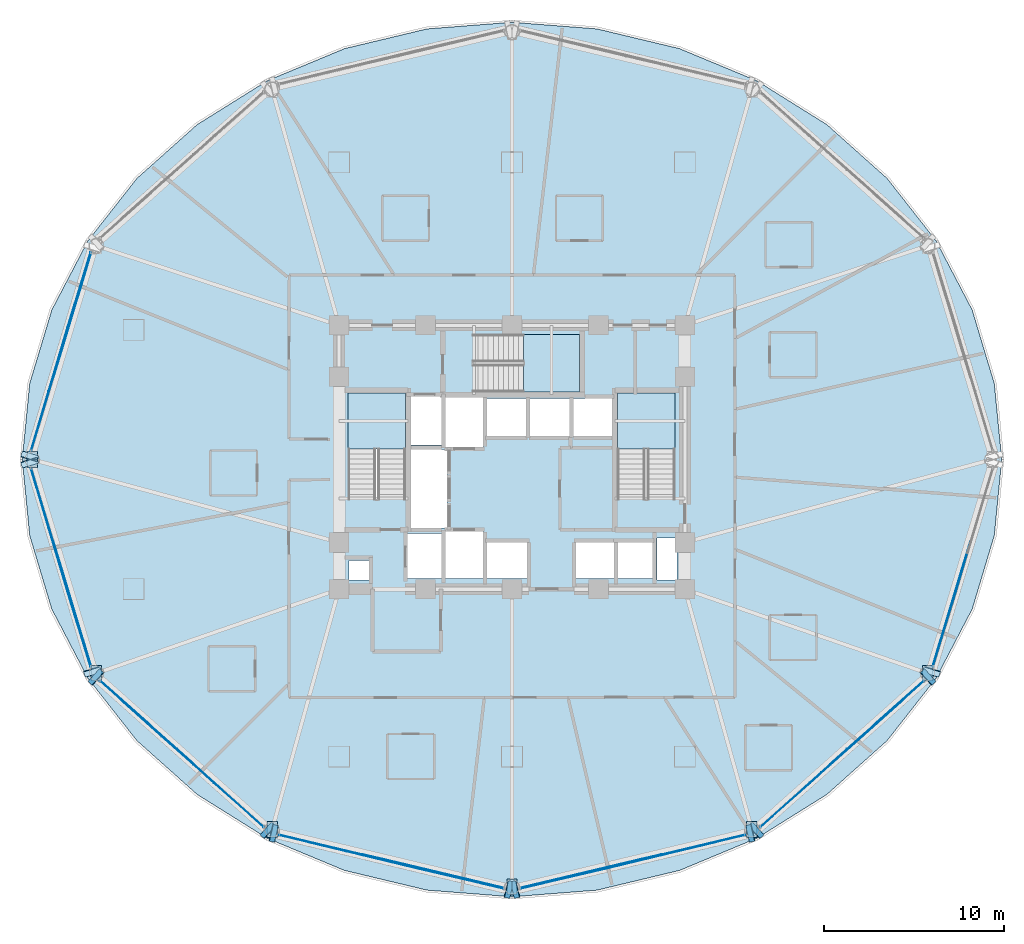
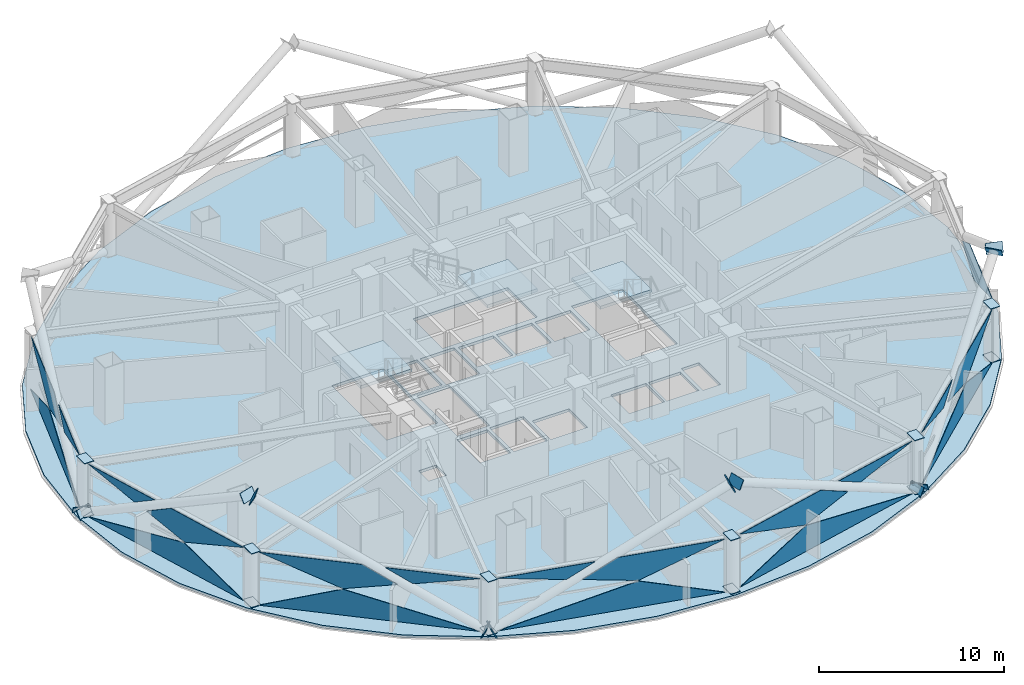
# One storey, part 22 of 31: 43 plates, 4 slabs, 10 elements without a shape of their own.
"""IFC4 building model written with IfcOpenShell, lengths in metres."""

import ifcopenshell
import ifcopenshell.guid

model = None  # the IFC model being written
_history = None  # IfcOwnerHistory: only IFC2X3 demands one
_inside = {}  # id of a spatial element -> (the spatial element, [elements in it])
_under = {}  # id of a project, library or spatial element -> (it, [spatial elements below it])
_declared = {}  # id of a project -> (the project, [libraries it declares])
_typed = {}  # id of a type object -> (the type object, [elements of that type])
_made_of = {}  # id of a material, layer set ... -> (it, [elements and type objects made of it])


def new_model(schema):
    """Start an empty IFC model of exactly this schema.

    Asked for "IFC4X3", IfcOpenShell would pick the latest addendum, in which some entities
    have other attributes; the version numbers below select the first issue.
    IFC2X3 requires an IfcOwnerHistory on every rooted entity: one is made here for all.
    """
    global model, _history
    if schema == "IFC4X3":
        model = ifcopenshell.file(schema_version=(4, 3, 0, 0))
    else:
        model = ifcopenshell.file(schema=schema)
    _inside.clear()
    _under.clear()
    _declared.clear()
    _typed.clear()
    _made_of.clear()
    _history = None
    if model.schema == "IFC2X3":
        org = make("IfcOrganization", Name="unknown")
        user = make(
            "IfcPersonAndOrganization",
            ThePerson=make("IfcPerson", FamilyName="unknown"),
            TheOrganization=org,
        )
        app = make(
            "IfcApplication",
            ApplicationDeveloper=org,
            Version="unknown",
            ApplicationFullName="unknown",
            ApplicationIdentifier="unknown",
        )
        _history = make(
            "IfcOwnerHistory",
            OwningUser=user,
            OwningApplication=app,
            ChangeAction="ADDED",
            CreationDate=0,
        )
    return model


def make(cls, **values):
    """One entity of the class cls with the attributes given. An attribute that is None is left unset."""
    return model.create_entity(
        cls, **{name: value for name, value in values.items() if value is not None}
    )


def rooted(cls, **values):
    """An entity with a GlobalId (a new one), such as an element, a storey or a relation."""
    return make(cls, GlobalId=ifcopenshell.guid.new(), OwnerHistory=_history, **values)


def si_unit(unit_type, name, prefix=None):
    """IfcSIUnit, for example si_unit("LENGTHUNIT", "METRE", prefix="MILLI")."""
    return make("IfcSIUnit", UnitType=unit_type, Prefix=prefix, Name=name)


def assignment(units):
    """IfcUnitAssignment: the units of a project."""
    return None if units is None else make("IfcUnitAssignment", Units=units)


def point(xyz):
    """IfcCartesianPoint."""
    return None if xyz is None else make("IfcCartesianPoint", Coordinates=xyz)


def direction(xyz):
    """IfcDirection."""
    return None if xyz is None else make("IfcDirection", DirectionRatios=xyz)


def frame(location, z_axis=None, x_axis=None):
    """IfcAxis2Placement3D, a coordinate frame: its origin and axes. An axis left out is left unset."""
    return make(
        "IfcAxis2Placement3D",
        Location=point(location),
        Axis=direction(z_axis),
        RefDirection=direction(x_axis),
    )


def origin():
    """The frame at (0, 0, 0) with its axes left unset."""
    return frame((0.0, 0.0, 0.0))


def place(relative_to, where):
    """IfcLocalPlacement: puts the frame where relative to a parent placement (None: the world)."""
    return make(
        "IfcLocalPlacement", PlacementRelTo=relative_to, RelativePlacement=where
    )


def context(
    kind, dimensions, precision=None, world=None, true_north=None, identifier=None
):
    """IfcGeometricRepresentationContext, for example the 3D "Model" context."""
    return make(
        "IfcGeometricRepresentationContext",
        ContextIdentifier=identifier,
        ContextType=kind,
        CoordinateSpaceDimension=dimensions,
        Precision=precision,
        WorldCoordinateSystem=world,
        TrueNorth=true_north,
    )


def subcontext(parent, identifier, kind, view, scale=None):
    """IfcGeometricRepresentationSubContext, for example "Body" below "Model"."""
    return make(
        "IfcGeometricRepresentationSubContext",
        ContextIdentifier=identifier,
        ContextType=kind,
        ParentContext=parent,
        TargetScale=scale,
        TargetView=view,
    )


def project(units=None, contexts=None):
    """IfcProject with its units and contexts."""
    return rooted(
        "IfcProject",
        Name="project",
        RepresentationContexts=contexts,
        UnitsInContext=assignment(units),
    )


def spatial(cls, under=None, at=None, **own):
    """A site, building, storey or space (cls), placed at a placement, below another one or the project."""
    s = rooted(cls, ObjectPlacement=at, **own)
    if under is not None:
        _under.setdefault(under.id(), (under, []))[1].append(s)
    return s


def polyline(points):
    """IfcPolyline through the points."""
    return make("IfcPolyline", Points=[point(p) for p in points])


def outline(outer, holes=None, kind="AREA"):
    """IfcArbitraryClosedProfileDef: a profile drawn as a closed curve; with holes, ...WithVoids."""
    if holes is None:
        return make("IfcArbitraryClosedProfileDef", ProfileType=kind, OuterCurve=outer)
    return make(
        "IfcArbitraryProfileDefWithVoids",
        ProfileType=kind,
        OuterCurve=outer,
        InnerCurves=holes,
    )


def extrude(swept, where, along, depth):
    """IfcExtrudedAreaSolid: the profile swept, set in the frame where, extruded along a direction by depth."""
    return make(
        "IfcExtrudedAreaSolid",
        SweptArea=swept,
        Position=where,
        ExtrudedDirection=direction(along),
        Depth=depth,
    )


def shape(context_of_items, identifier, shape_type, items):
    """IfcShapeRepresentation: the items that make up one representation, for example the "Body"."""
    return make(
        "IfcShapeRepresentation",
        ContextOfItems=context_of_items,
        RepresentationIdentifier=identifier,
        RepresentationType=shape_type,
        Items=items,
    )


def material(Name=None, Category=None):
    """IfcMaterial."""
    return make("IfcMaterial", Name=Name, Category=Category)


def layer(
    of_material, thickness, ventilated=None, Name=None, Category=None, Priority=None
):
    """IfcMaterialLayer: one layer of a wall or slab, of a material (None: an air gap)."""
    return make(
        "IfcMaterialLayer",
        Material=of_material,
        LayerThickness=thickness,
        IsVentilated=ventilated,
        Name=Name,
        Category=Category,
        Priority=Priority,
    )


def layer_set(layers, Name=None):
    """IfcMaterialLayerSet."""
    return make("IfcMaterialLayerSet", MaterialLayers=layers, LayerSetName=Name)


def made_of(thing, what):
    """Note that an element or type object is made of a material, layer set ...; save() writes the relation."""
    if what is not None:
        _made_of.setdefault(what.id(), (what, []))[1].append(thing)
    return thing


def type_object(cls, material=None, **own):
    """A type object (cls), such as IfcWallType, which elements share."""
    return made_of(rooted(cls, **own), material)


def element(
    cls,
    number,
    at=None,
    inside=None,
    cuts=None,
    type_object=None,
    material=None,
    context=None,
    identifier="Body",
    shape_type=None,
    held_by="IfcProductDefinitionShape",
    body=None,
    shapes=None,
    **own,
):
    """One element of the class cls, such as IfcWall. Its Tag is "e" and its number.

    at: its placement. inside: the storey or other place that contains it. cuts: it is an
    opening in that element (IfcRelVoidsElement). A single representation is given by context,
    identifier, shape_type and body (its items); several are given by shapes. held_by: the class
    of the entity that holds the representations. save() writes the other relations.
    """
    e = rooted(cls, Tag="e%d" % number, ObjectPlacement=at, **own)
    if body is not None:
        shapes = [shape(context, identifier, shape_type, body)]
    if shapes is not None:
        e.Representation = make(held_by, Representations=shapes)
    if inside is not None:
        _inside.setdefault(inside.id(), (inside, []))[1].append(e)
    if cuts is not None:
        rooted(
            "IfcRelVoidsElement", RelatingBuildingElement=cuts, RelatedOpeningElement=e
        )
    if type_object is not None:
        _typed.setdefault(type_object.id(), (type_object, []))[1].append(e)
    return made_of(e, material)


def aggregate(whole, parts):
    """IfcRelAggregates: a whole, such as a stair, and the parts it consists of."""
    return rooted("IfcRelAggregates", RelatingObject=whole, RelatedObjects=parts)


def save(model, path):
    """Write the relations noted so far, then the file.

    IfcRelAggregates (storeys below a building ...), IfcRelContainedInSpatialStructure (elements
    in a storey), IfcRelDefinesByType, IfcRelAssociatesMaterial and IfcRelDeclares: one each for
    every whole, place, type object, material and project.
    """
    for whole, parts in _under.values():
        aggregate(whole, parts)
    for where, things in _inside.values():
        rooted(
            "IfcRelContainedInSpatialStructure",
            RelatedElements=things,
            RelatingStructure=where,
        )
    for kind, things in _typed.values():
        rooted("IfcRelDefinesByType", RelatedObjects=things, RelatingType=kind)
    for what, things in _made_of.values():
        rooted("IfcRelAssociatesMaterial", RelatedObjects=things, RelatingMaterial=what)
    for by, libraries in _declared.values():
        rooted("IfcRelDeclares", RelatingContext=by, RelatedDefinitions=libraries)
    model.write(path)


model = new_model("IFC4")

# Units and contexts
model_context = context("Model", 3, precision=1e-05, world=origin(), true_north=direction((0.0, 1.0)))
body_context = subcontext(model_context, "Body", "Model", "MODEL_VIEW")
ifc_project = project(units=[si_unit("LENGTHUNIT", "METRE"), si_unit("AREAUNIT", "SQUARE_METRE"), si_unit("VOLUMEUNIT", "CUBIC_METRE"), si_unit("PLANEANGLEUNIT", "RADIAN"), si_unit("MASSUNIT", "GRAM", prefix="KILO")], contexts=[model_context])

# Site, building, storey
site_placement = place(None, origin())
site = spatial("IfcSite", under=ifc_project, at=site_placement, CompositionType="ELEMENT")
building_placement = place(site_placement, origin())
building = spatial("IfcBuilding", under=site, at=building_placement, Name="Vantalir Tower", CompositionType="ELEMENT")
storey_placement = place(building_placement, frame((0.0, 0.0, 42.0)))
storey = spatial("IfcBuildingStorey", under=building, at=storey_placement, Name="L09", CompositionType="ELEMENT", Elevation=42.0)

# Curtain wall, plates
ifc_material_1 = material(Name="Champagne-silver PVDF aluminium and double-silver Low-E glass", Category="aluminium")
ifc_layer_1 = layer(ifc_material_1, 0.18994140625)
ifc_layer_set_1 = layer_set([ifc_layer_1], Name="Champagne-silver PVDF aluminium and double-silver Low-E glass")
curtain_wall_type = type_object("IfcCurtainWallType", Name="CW-DIAMOND-Z1", PredefinedType="USERDEFINED", material=ifc_layer_set_1)
curtain_wall_1_placement = place(storey_placement, origin())
curtain_wall_1 = element("IfcCurtainWall", 1, at=curtain_wall_1_placement, inside=storey, type_object=curtain_wall_type, Name="L09 Quilted Pyramid-Diamond Curtain Wall S06", ObjectType="UNITISED CURTAIN WALL", PredefinedType="USERDEFINED")
ifc_material_2 = material(Name="Double-silver Low-E laminated glass IGU", Category="glass")
ifc_layer_2 = layer(ifc_material_2, 0.028076171875)
ifc_layer_set_2 = layer_set([ifc_layer_2], Name="Double-silver Low-E laminated glass IGU")
plate_type_1 = type_object("IfcPlateType", Name="CWP-IGU-28", PredefinedType="CURTAIN_PANEL", material=ifc_layer_set_2)
plate_1_placement = place(storey_placement, frame((8.12548828125, 36.49365234375, 0.046630859375), z_axis=(0.95758802022, -0.287810871385, 0.013787162279), x_axis=(-0.287837949678, -0.95767912908, -2.1198847e-05)))
plate_1 = element("IfcPlate", 2, at=plate_1_placement, type_object=plate_type_1, Name="CW-L09-S06 Pyramid Diamond Facet 1L", PredefinedType="CURTAIN_PANEL", context=body_context, shape_type="SweptSolid", body=[
    extrude(outline(polyline([(0.0, 0.0), (11.516693368469967, -4.960224939121183e-18), (4.3822184839677, -1.7268195281423935), (0.0, 0.0)])), origin(), (0.0, 0.0, -1.0), 0.028076171875),
])
plate_2_placement = place(storey_placement, frame((8.12548828125, 36.49365234375, 3.5234375), z_axis=(-0.957586152687, 0.287819327154, 0.013740272884), x_axis=(-0.287846501772, -0.957676558874, -1.01143e-07)))
plate_2 = element("IfcPlate", 3, at=plate_2_placement, type_object=plate_type_1, Name="CW-L09-S06 Pyramid Diamond Facet 2U", PredefinedType="CURTAIN_PANEL", context=body_context, shape_type="SweptSolid", body=[
    extrude(outline(polyline([(0.0, 0.0), (5.4035113292705805, 0.0), (7.217800164809518, -1.0403806871199028), (4.382255473170622, -1.7269697733273917), (0.0, 0.0)])), origin(), (0.0, 0.0, -1.0), 0.028076171875),
])
plate_3_placement = place(storey_placement, frame((6.1982421875, 30.1923828125, 3.52392578125), z_axis=(-0.957588532416, 0.287802447823, 0.013926722994), x_axis=(-0.287829700777, -0.957681607266, 4.9548924e-05)))
plate_3 = element("IfcPlate", 4, at=plate_3_placement, type_object=plate_type_1, Name="CW-L09-S06 Pyramid Diamond Facet 2U Infill Light", PredefinedType="CURTAIN_PANEL", context=body_context, shape_type="SweptSolid", body=[
    extrude(outline(polyline([(0.0, 0.0), (4.927263888329867, 2.168404344971009e-19), (1.4624268086434844, -0.8387768554253257), (0.0, 0.0)])), origin(), (0.0, 0.0, -1.0), 0.028076171875),
])
aggregate(curtain_wall_1, [plate_1, plate_2, plate_3])

curtain_wall_2_placement = place(storey_placement, origin())
curtain_wall_2 = element("IfcCurtainWall", 5, at=curtain_wall_2_placement, inside=storey, type_object=curtain_wall_type, Name="L09 Quilted Pyramid-Diamond Curtain Wall S07", ObjectType="UNITISED CURTAIN WALL", PredefinedType="USERDEFINED")
plate_4_placement = place(storey_placement, frame((4.810546875, 24.53564453125, 0.04638671875), z_axis=(0.95758802022, 0.287810871385, 0.013787162279), x_axis=(0.287837949678, -0.95767912908, 2.1198847e-05)))
plate_4 = element("IfcPlate", 6, at=plate_4_placement, type_object=plate_type_1, Name="CW-L09-S07 Pyramid Diamond Facet 1L", PredefinedType="CURTAIN_PANEL", context=body_context, shape_type="SweptSolid", body=[
    extrude(outline(polyline([(0.0, 0.0), (11.516693368469967, 4.960224939121183e-18), (7.134474884502269, -1.7268195281423935), (0.0, 0.0)])), origin(), (0.0, 0.0, -1.0), 0.028076171875),
])
plate_5_placement = place(storey_placement, frame((6.570068359375, 18.68115234375, 3.5234375), z_axis=(-0.957586152687, -0.287819327154, 0.013740272884), x_axis=(0.287846501772, -0.957676558874, 1.01143e-07)))
plate_5 = element("IfcPlate", 7, at=plate_5_placement, type_object=plate_type_1, Name="CW-L09-S07 Pyramid Diamond Facet 2U", PredefinedType="CURTAIN_PANEL", context=body_context, shape_type="SweptSolid", body=[
    extrude(outline(polyline([(0.0, 0.0), (5.4035113292705805, 0.0), (1.0212558560999583, -1.7269697733273917), (-1.8142888355389373, -1.0403806871199028), (0.0, 0.0)])), origin(), (0.0, 0.0, -1.0), 0.028076171875),
])
plate_6_placement = place(storey_placement, frame((4.780029296875, 24.5263671875, 3.524169921875), z_axis=(-0.957588532416, -0.287802447823, 0.013926722994), x_axis=(0.287829700777, -0.957681607266, -4.9548924e-05)))
plate_6 = element("IfcPlate", 8, at=plate_6_placement, type_object=plate_type_1, Name="CW-L09-S07 Pyramid Diamond Facet 2U Infill Light", PredefinedType="CURTAIN_PANEL", context=body_context, shape_type="SweptSolid", body=[
    extrude(outline(polyline([(0.0, 0.0), (4.927263888329867, -2.168404344971009e-19), (3.4648370796863825, -0.8387768554253257), (0.0, 0.0)])), origin(), (0.0, 0.0, -1.0), 0.028076171875),
])
aggregate(curtain_wall_2, [plate_4, plate_5, plate_6])

curtain_wall_3_placement = place(storey_placement, origin())
curtain_wall_3 = element("IfcCurtainWall", 9, at=curtain_wall_3_placement, inside=storey, type_object=curtain_wall_type, Name="L09 Quilted Pyramid-Diamond Curtain Wall S08", ObjectType="UNITISED CURTAIN WALL", PredefinedType="USERDEFINED")
plate_7_placement = place(storey_placement, frame((8.626953125, 12.71923828125, 0.046630859375), z_axis=(0.665372937619, 0.746388040271, 0.01355533931), x_axis=(0.746456803677, -0.665433873381, -2.0035344e-05)))
plate_7 = element("IfcPlate", 10, at=plate_7_placement, type_object=plate_type_1, Name="CW-L09-S08 Pyramid Diamond Facet 1L", PredefinedType="CURTAIN_PANEL", context=body_context, shape_type="SweptSolid", body=[
    extrude(outline(polyline([(0.0, 0.0), (12.185497165828616, -1.2088854223213374e-17), (4.632465465344607, -1.7270581323679652), (0.0, 0.0)])), origin(), (0.0, 0.0, -1.0), 0.028076171875),
])
plate_8_placement = place(storey_placement, frame((8.626953125, 12.71923828125, 3.5234375), z_axis=(-0.665353248189, -0.746404957838, 0.013590218483), x_axis=(0.746474279345, -0.66541426831, 4.2498864e-05)))
plate_8 = element("IfcPlate", 11, at=plate_8_placement, type_object=plate_type_1, Name="CW-L09-S08 Pyramid Diamond Facet 2U", PredefinedType="CURTAIN_PANEL", context=body_context, shape_type="SweptSolid", body=[
    extrude(outline(polyline([(0.0, 0.0), (5.726514672687783, 1.8973538018496328e-18), (7.637268089448259, -1.0402155632772805), (4.6324260451161114, -1.7274079542528402), (0.0, 0.0)])), origin(), (0.0, 0.0, -1.0), 0.028076171875),
])
plate_9_placement = place(storey_placement, frame((13.80126953125, 8.063720703125, 3.52392578125), z_axis=(-0.665350611464, -0.746410219745, 0.013429359083), x_axis=(0.746477952287, -0.665410147628, 4.6724959e-05)))
plate_9 = element("IfcPlate", 12, at=plate_9_placement, type_object=plate_type_1, Name="CW-L09-S08 Pyramid Diamond Facet 2U Infill Light", PredefinedType="CURTAIN_PANEL", context=body_context, shape_type="SweptSolid", body=[
    extrude(outline(polyline([(0.0, 0.0), (5.2250580382888225, 8.40256683676266e-18), (1.545889112201607, -0.841212544437501), (0.0, 0.0)])), origin(), (0.0, 0.0, -1.0), 0.028076171875),
])
aggregate(curtain_wall_3, [plate_7, plate_8, plate_9])

curtain_wall_4_placement = place(storey_placement, origin())
curtain_wall_4 = element("IfcCurtainWall", 13, at=curtain_wall_4_placement, inside=storey, type_object=curtain_wall_type, Name="L09 Quilted Pyramid-Diamond Curtain Wall S09", ObjectType="UNITISED CURTAIN WALL", PredefinedType="USERDEFINED")
plate_10_placement = place(storey_placement, frame((18.556640625, 4.17529296875, 0.046142578125), z_axis=(0.232285713853, 0.972551192562, 0.013693976268), x_axis=(0.972642333461, -0.232307750187, 1.9040058e-05)))
plate_10 = element("IfcPlate", 14, at=plate_10_placement, type_object=plate_type_1, Name="CW-L09-S09 Pyramid Diamond Facet 1L", PredefinedType="CURTAIN_PANEL", context=body_context, shape_type="SweptSolid", body=[
    extrude(outline(polyline([(0.0, 0.0), (12.822472617576965, -7.670730370334944e-18), (7.9437987635103235, -1.7275497993928277), (0.0, 0.0)])), origin(), (0.0, 0.0, -1.0), 0.028076171875),
])
plate_11_placement = place(storey_placement, frame((25.159423828125, 2.598388671875, 3.523681640625), z_axis=(-0.232298692746, -0.972547305171, 0.013749783719), x_axis=(0.97263912115, -0.232321196549, -4.0530152e-05)))
plate_11 = element("IfcPlate", 15, at=plate_11_placement, type_object=plate_type_1, Name="CW-L09-S09 Pyramid Diamond Facet 2U", PredefinedType="CURTAIN_PANEL", context=body_context, shape_type="SweptSolid", body=[
    extrude(outline(polyline([(0.0, 0.0), (6.033999068466349, -1.6263032587282567e-18), (1.1553626647704507, -1.7276555569161969), (-2.004098927147589, -1.040463206528246), (0.0, 0.0)])), origin(), (0.0, 0.0, -1.0), 0.028076171875),
])
plate_12_placement = place(storey_placement, frame((18.54931640625, 4.144287109375, 3.524169921875), z_axis=(-0.232301256046, -0.972545472183, 0.013835858297), x_axis=(0.972638573214, -0.232323494067, 0.0)))
plate_12 = element("IfcPlate", 16, at=plate_12_placement, type_object=plate_type_1, Name="CW-L09-S09 Pyramid Diamond Facet 2U Infill Light", PredefinedType="CURTAIN_PANEL", context=body_context, shape_type="SweptSolid", body=[
    extrude(outline(polyline([(0.0, 0.0), (5.508634248940906, -3.469446951953614e-18), (3.8823789011001124, -0.8443190995321054), (0.0, 0.0)])), origin(), (0.0, 0.0, -1.0), 0.028076171875),
])
aggregate(curtain_wall_4, [plate_10, plate_11, plate_12])

curtain_wall_5_placement = place(storey_placement, origin())
curtain_wall_5 = element("IfcCurtainWall", 17, at=curtain_wall_5_placement, inside=storey, type_object=curtain_wall_type, Name="L09 Quilted Pyramid-Diamond Curtain Wall S10", ObjectType="UNITISED CURTAIN WALL", PredefinedType="USERDEFINED")
plate_13_placement = place(storey_placement, frame((31.9716796875, 1.196533203125, 0.04638671875), z_axis=(-0.232285713853, 0.972551192562, 0.013693976268), x_axis=(0.972642333461, 0.232307750187, -1.9040058e-05)))
plate_13 = element("IfcPlate", 18, at=plate_13_placement, type_object=plate_type_1, Name="CW-L09-S10 Pyramid Diamond Facet 1L", PredefinedType="CURTAIN_PANEL", context=body_context, shape_type="SweptSolid", body=[
    extrude(outline(polyline([(0.0, 0.0), (12.822472617576965, 7.670730370334944e-18), (4.8786738540666414, -1.727549799392828), (0.0, 0.0)])), origin(), (0.0, 0.0, -1.0), 0.028076171875),
])
plate_14_placement = place(storey_placement, frame((31.9716796875, 1.196533203125, 3.5234375), z_axis=(0.232298692746, -0.972547305171, 0.013749783719), x_axis=(0.97263912115, 0.232321196549, 4.0530152e-05)))
plate_14 = element("IfcPlate", 19, at=plate_14_placement, type_object=plate_type_1, Name="CW-L09-S10 Pyramid Diamond Facet 2U", PredefinedType="CURTAIN_PANEL", context=body_context, shape_type="SweptSolid", body=[
    extrude(outline(polyline([(0.0, 0.0), (6.033999068466349, 1.6263032587282567e-18), (8.038097995613937, -1.040463206528246), (4.878636403695898, -1.7276555569161969), (0.0, 0.0)])), origin(), (0.0, 0.0, -1.0), 0.028076171875),
])
plate_15_placement = place(storey_placement, frame((39.0927734375, 2.864501953125, 3.524169921875), z_axis=(0.232301256046, -0.972545472183, 0.013835858297), x_axis=(0.972638573214, 0.232323494067, 0.0)))
plate_15 = element("IfcPlate", 20, at=plate_15_placement, type_object=plate_type_1, Name="CW-L09-S10 Pyramid Diamond Facet 2U Infill Light", PredefinedType="CURTAIN_PANEL", context=body_context, shape_type="SweptSolid", body=[
    extrude(outline(polyline([(0.0, 0.0), (5.508634248940906, 3.469446951953614e-18), (1.6262553478407933, -0.8443190995321054), (0.0, 0.0)])), origin(), (0.0, 0.0, -1.0), 0.028076171875),
])
aggregate(curtain_wall_5, [plate_13, plate_14, plate_15])

curtain_wall_6_placement = place(storey_placement, origin())
curtain_wall_6 = element("IfcCurtainWall", 21, at=curtain_wall_6_placement, inside=storey, type_object=curtain_wall_type, Name="L09 Quilted Pyramid-Diamond Curtain Wall S11", ObjectType="UNITISED CURTAIN WALL", PredefinedType="USERDEFINED")
plate_16_placement = place(storey_placement, frame((45.277099609375, 4.610595703125, 0.04638671875), z_axis=(-0.665372937619, 0.746388040271, 0.01355533931), x_axis=(0.746456803677, 0.665433873381, 2.0035344e-05)))
plate_16 = element("IfcPlate", 22, at=plate_16_placement, type_object=plate_type_1, Name="CW-L09-S11 Pyramid Diamond Facet 1L", PredefinedType="CURTAIN_PANEL", context=body_context, shape_type="SweptSolid", body=[
    extrude(outline(polyline([(0.0, 0.0), (12.185497165828616, 1.2088854223213374e-17), (7.553031700484008, -1.7270581323679652), (0.0, 0.0)])), origin(), (0.0, 0.0, -1.0), 0.028076171875),
])
plate_17_placement = place(storey_placement, frame((50.098388671875, 8.90869140625, 3.523681640625), z_axis=(0.665353248189, -0.746404957838, 0.013590218483), x_axis=(0.746474279345, 0.66541426831, -4.2498864e-05)))
plate_17 = element("IfcPlate", 23, at=plate_17_placement, type_object=plate_type_1, Name="CW-L09-S11 Pyramid Diamond Facet 2U", PredefinedType="CURTAIN_PANEL", context=body_context, shape_type="SweptSolid", body=[
    extrude(outline(polyline([(0.0, 0.0), (5.726514672687783, -1.8973538018496328e-18), (1.0940886275716704, -1.7274079542528402), (-1.9107534167604765, -1.0402155632772805), (0.0, 0.0)])), origin(), (0.0, 0.0, -1.0), 0.028076171875),
])
plate_18_placement = place(storey_placement, frame((45.29833984375, 4.5869140625, 3.524169921875), z_axis=(0.665350611464, -0.746410219745, 0.013429359083), x_axis=(0.746477952287, 0.665410147628, -4.6724959e-05)))
plate_18 = element("IfcPlate", 24, at=plate_18_placement, type_object=plate_type_1, Name="CW-L09-S11 Pyramid Diamond Facet 2U Infill Light", PredefinedType="CURTAIN_PANEL", context=body_context, shape_type="SweptSolid", body=[
    extrude(outline(polyline([(0.0, 0.0), (5.2250580382888225, -8.40256683676266e-18), (3.6791689260872156, -0.841212544437501), (0.0, 0.0)])), origin(), (0.0, 0.0, -1.0), 0.028076171875),
])
aggregate(curtain_wall_6, [plate_16, plate_17, plate_18])

# Curtain wall, plate
curtain_wall_7_placement = place(storey_placement, origin())
curtain_wall_7 = element("IfcCurtainWall", 25, at=curtain_wall_7_placement, inside=storey, type_object=curtain_wall_type, Name="L09 Quilted Pyramid-Diamond Curtain Wall S12", ObjectType="UNITISED CURTAIN WALL", PredefinedType="USERDEFINED")
plate_19_placement = place(storey_placement, frame((54.87451171875, 13.50634765625, 3.5234375), z_axis=(0.957586152687, -0.287819327154, 0.013740272884), x_axis=(0.287846501772, 0.957676558874, -1.01143e-07)))
plate_19 = element("IfcPlate", 26, at=plate_19_placement, type_object=plate_type_1, Name="CW-L09-S12 Pyramid Diamond Facet 2U", PredefinedType="CURTAIN_PANEL", context=body_context, shape_type="SweptSolid", body=[
    extrude(outline(polyline([(0.0, 0.0), (5.4035113292705805, 0.0), (7.217800164809518, -1.0403806871199028), (4.382255473170622, -1.7269697733273917), (0.0, 0.0)])), origin(), (0.0, 0.0, -1.0), 0.028076171875),
])
aggregate(curtain_wall_7, [plate_19])

# Plates
ifc_material_3 = material(Name="Steel S460", Category="steel")
ifc_layer_3 = layer(ifc_material_3, 0.0400390625)
ifc_layer_set_3 = layer_set([ifc_layer_3], Name="Steel S460")
plate_type_2 = type_object("IfcPlateType", Name="PLT-KN-Z1", PredefinedType="USERDEFINED", material=ifc_layer_set_3)
plate_20_placement = place(storey_placement, frame((54.28271484375, 13.187255859375, 6.87744140625), z_axis=(-0.2496843344, -0.830757742984, 0.497493020683), x_axis=(0.95767852789, -0.287839950256, -1.5963259e-05)))
element("IfcPlate", 27, at=plate_20_placement, inside=storey, type_object=plate_type_2, Name="Node Cap Plate MEM-DG-L09-R01R End", ObjectType="FLANGE_PLATE", PredefinedType="USERDEFINED", context=body_context, shape_type="SweptSolid", body=[
    extrude(outline(polyline([(0.0, 0.0), (0.9498757175794257, 0.0), (0.9499424844941278, 0.6200309109300481), (-0.00016704131964609512, 0.6199959471536988), (0.0, 0.0)])), origin(), (0.0, 0.0, -1.0), 0.0400390625),
])
plate_21_placement = place(storey_placement, frame((4.3173828125, 24.526123046875, -0.075439453125), z_axis=(0.2496843344, -0.830757742984, 0.497493020683), x_axis=(0.957683797391, 0.287822417403, -1.5959331e-05)))
element("IfcPlate", 28, at=plate_21_placement, inside=storey, type_object=plate_type_2, Name="Node Cap Plate MEM-DG-L09-R19L Start", ObjectType="FLANGE_PLATE", PredefinedType="USERDEFINED", context=body_context, shape_type="SweptSolid", body=[
    extrude(outline(polyline([(0.0, 0.0), (0.9501095264571026, 0.0), (0.9500199425708274, 0.6200309080532143), (0.00014422563457230244, 0.619995952880969), (0.0, 0.0)])), origin(), (0.0, 0.0, -1.0), 0.0400390625),
])
plate_22_placement = place(storey_placement, frame((7.8076171875, 12.913818359375, 6.87744140625), z_axis=(0.2496843344, -0.830757742984, 0.497493020683), x_axis=(0.95767852789, 0.287839950256, 1.5963259e-05)))
element("IfcPlate", 29, at=plate_22_placement, inside=storey, type_object=plate_type_2, Name="Node Cap Plate MEM-DG-L09-R19L End", ObjectType="FLANGE_PLATE", PredefinedType="USERDEFINED", context=body_context, shape_type="SweptSolid", body=[
    extrude(outline(polyline([(0.0, 0.0), (0.9498757175794257, 0.0), (0.9500427588990717, 0.6199959471536988), (-6.676691470205889e-05, 0.6200309109300481), (0.0, 0.0)])), origin(), (0.0, 0.0, -1.0), 0.0400390625),
])
plate_23_placement = place(storey_placement, frame((5.227294921875, 25.200439453125, -0.075439453125), z_axis=(0.2496843344, 0.830757742984, 0.497493020683), x_axis=(-0.957683797391, 0.287822417403, 1.5959331e-05)))
element("IfcPlate", 30, at=plate_23_placement, inside=storey, type_object=plate_type_2, Name="Node Cap Plate MEM-DG-L09-R19R Start", ObjectType="FLANGE_PLATE", PredefinedType="USERDEFINED", context=body_context, shape_type="SweptSolid", body=[
    extrude(outline(polyline([(0.0, 0.0), (0.9501095264571026, 0.0), (0.9499653008225303, 0.619995952880969), (8.958388627516144e-05, 0.6200309080532143), (0.0, 0.0)])), origin(), (0.0, 0.0, -1.0), 0.0400390625),
])
plate_24_placement = place(storey_placement, frame((18.310302734375, 3.745849609375, -0.090087890625), z_axis=(0.863274797419, -0.20620964906, 0.460688837259), x_axis=(0.232326582591, 0.972637835411, 1.2206029e-05)))
element("IfcPlate", 31, at=plate_24_placement, inside=storey, type_object=plate_type_2, Name="Node Cap Plate MEM-DG-L09-R25L Start", ObjectType="FLANGE_PLATE", PredefinedType="USERDEFINED", context=body_context, shape_type="SweptSolid", body=[
    extrude(outline(polyline([(0.0, 0.0), (0.9500628509990552, -1.3877787807814457e-17), (0.949873572385051, 0.6199922397103949), (4.818179503171985e-05, 0.620018367573198), (0.0, 0.0)])), origin(), (0.0, 0.0, -1.0), 0.0400390625),
])
plate_25_placement = place(storey_placement, frame((31.3662109375, 0.627685546875, 6.878173828125), z_axis=(0.863274797419, -0.20620964906, 0.460688837259), x_axis=(0.232338908481, 0.972634891137, -1.220908e-05)))
element("IfcPlate", 32, at=plate_25_placement, inside=storey, type_object=plate_type_2, Name="Node Cap Plate MEM-DG-L09-R25L End", ObjectType="FLANGE_PLATE", PredefinedType="USERDEFINED", context=body_context, shape_type="SweptSolid", body=[
    extrude(outline(polyline([(0.0, 0.0), (0.9498253909493828, 0.0), (0.9498565172360917, 0.6200183686640041), (-0.00020633340351011012, 0.6199922342691335), (0.0, 0.0)])), origin(), (0.0, 0.0, -1.0), 0.0400390625),
])
plate_26_placement = place(storey_placement, frame((18.140869140625, 4.87451171875, -0.083251953125), z_axis=(-0.65558217793, 0.584382116953, 0.478235872104), x_axis=(-0.665391504397, -0.746494570813, 4.0285471e-05)))
element("IfcPlate", 33, at=plate_26_placement, inside=storey, type_object=plate_type_2, Name="Node Cap Plate MEM-DG-L09-R25R Start", ObjectType="FLANGE_PLATE", PredefinedType="USERDEFINED", context=body_context, shape_type="SweptSolid", body=[
    extrude(outline(polyline([(0.0, 0.0), (0.9500159504628366, 2.7755575615628914e-17), (0.950116718732888, 0.61987683167743), (-6.168082770172895e-05, 0.6199639957458387), (0.0, 0.0)])), origin(), (0.0, 0.0, -1.0), 0.0400390625),
])
plate_27_placement = place(storey_placement, frame((8.59375, 13.38525390625, 6.8779296875), z_axis=(-0.655584368073, 0.584472427322, 0.478122492713), x_axis=(-0.665463937631, -0.746430001885, 0.0)))
element("IfcPlate", 34, at=plate_27_placement, inside=storey, type_object=plate_type_2, Name="Node Cap Plate MEM-DG-L09-R25R End", ObjectType="FLANGE_PLATE", PredefinedType="USERDEFINED", context=body_context, shape_type="SweptSolid", body=[
    extrude(outline(polyline([(0.0, 0.0), (0.9498337060541948, 0.0), (0.9498837827215394, 0.6198768430110618), (5.007666734460625e-05, 0.6198768430110617), (0.0, 0.0)])), origin(), (0.0, 0.0, -1.0), 0.0400390625),
])
plate_28_placement = place(storey_placement, frame((45.4912109375, 4.165283203125, -0.083251953125), z_axis=(0.65558217793, 0.584382116953, 0.478235872104), x_axis=(-0.665391504397, 0.746494570813, -4.0285471e-05)))
element("IfcPlate", 35, at=plate_28_placement, inside=storey, type_object=plate_type_2, Name="Node Cap Plate MEM-DG-L09-R31L Start", ObjectType="FLANGE_PLATE", PredefinedType="USERDEFINED", context=body_context, shape_type="SweptSolid", body=[
    extrude(outline(polyline([(0.0, 0.0), (0.9500159504628366, -2.7755575615628914e-17), (0.9500776312905383, 0.6199639957458387), (-0.00010076827005141891, 0.61987683167743), (0.0, 0.0)])), origin(), (0.0, 0.0, -1.0), 0.0400390625),
])
plate_29_placement = place(storey_placement, frame((55.038330078125, 12.67626953125, 6.8779296875), z_axis=(0.655584368073, 0.584472427322, 0.478122492713), x_axis=(-0.665463937631, 0.746430001885, 0.0)))
element("IfcPlate", 36, at=plate_29_placement, inside=storey, type_object=plate_type_2, Name="Node Cap Plate MEM-DG-L09-R31L End", ObjectType="FLANGE_PLATE", PredefinedType="USERDEFINED", context=body_context, shape_type="SweptSolid", body=[
    extrude(outline(polyline([(0.0, 0.0), (0.9498337060541948, 0.0), (0.9497836293868502, 0.6198768430110617), (-5.007666734460625e-05, 0.6198768430110617), (0.0, 0.0)])), origin(), (0.0, 0.0, -1.0), 0.0400390625),
])
plate_30_placement = place(storey_placement, frame((44.468994140625, 4.669921875, -0.090087890625), z_axis=(-0.863274797419, -0.20620964906, 0.460688837259), x_axis=(0.232326582591, -0.972637835411, -1.2206029e-05)))
element("IfcPlate", 37, at=plate_30_placement, inside=storey, type_object=plate_type_2, Name="Node Cap Plate MEM-DG-L09-R31R Start", ObjectType="FLANGE_PLATE", PredefinedType="USERDEFINED", context=body_context, shape_type="SweptSolid", body=[
    extrude(outline(polyline([(0.0, 0.0), (0.9500628509990552, 1.3877787807814457e-17), (0.9500146692040234, 0.620018367573198), (0.00018927861400413578, 0.619992239710395), (0.0, 0.0)])), origin(), (0.0, 0.0, -1.0), 0.0400390625),
])
plate_31_placement = place(storey_placement, frame((31.4130859375, 1.551513671875, 6.878173828125), z_axis=(-0.863274797419, -0.20620964906, 0.460688837259), x_axis=(0.232338908481, -0.972634891137, 1.220908e-05)))
element("IfcPlate", 38, at=plate_31_placement, inside=storey, type_object=plate_type_2, Name="Node Cap Plate MEM-DG-L09-R31R End", ObjectType="FLANGE_PLATE", PredefinedType="USERDEFINED", context=body_context, shape_type="SweptSolid", body=[
    extrude(outline(polyline([(0.0, 0.0), (0.9498253909493828, 0.0), (0.9500317243528931, 0.6199922342691335), (-3.1126286708836746e-05, 0.6200183686640041), (0.0, 0.0)])), origin(), (0.0, 0.0, -1.0), 0.0400390625),
])
ifc_layer_4 = layer(ifc_material_3, 0.035888671875)
ifc_layer_set_4 = layer_set([ifc_layer_4], Name="Steel S460")
plate_type_3 = type_object("IfcPlateType", Name="PLT-KN-Z2", PredefinedType="USERDEFINED", material=ifc_layer_set_4)
for number, where, z_axis, x_axis, name in (
    (39, (4.571044921875, 25.43994140625, 3.597900390625), (0.0, 0.0, 1.0), (0.0, -1.0, 0.0), "L09 Ring Column Top Cap RC07"),
    (40, (4.571044921875, 25.43994140625, 0.052978515625), (0.0, 0.0, 1.0), (0.0, -1.0, 0.0), "L09 Ring Column Base Cap RC07"),
):
    element("IfcPlate", number, at=place(storey_placement, frame(where, z_axis=z_axis, x_axis=x_axis)), inside=storey, type_object=plate_type_3, Name=name, ObjectType="FLANGE_PLATE", PredefinedType="USERDEFINED", context=body_context, shape_type="SweptSolid", body=[
        extrude(outline(polyline([(0.0, 0.0), (0.8798828125, 0.0), (0.8798828125, 0.579833984375), (0.0, 0.579833984375), (0.0, 0.0)])), origin(), (0.0, 0.0, -1.0), 0.035888671875),
    ])
for number, where, z_axis, x_axis, name in (
    (41, (8.139892578125, 13.576904296875, 3.597900390625), (0.0, 0.0, 1.0), (0.0, -1.0, 0.0), "L09 Ring Column Top Cap RC08"),
    (42, (8.139892578125, 13.576904296875, 0.052978515625), (0.0, 0.0, 1.0), (0.0, -1.0, 0.0), "L09 Ring Column Base Cap RC08"),
):
    element("IfcPlate", number, at=place(storey_placement, frame(where, z_axis=z_axis, x_axis=x_axis)), inside=storey, type_object=plate_type_3, Name=name, ObjectType="FLANGE_PLATE", PredefinedType="USERDEFINED", context=body_context, shape_type="SweptSolid", body=[
        extrude(outline(polyline([(0.0, 0.0), (0.8798828125, 0.0), (0.8798828125, 0.580078125), (0.0, 0.580078125), (0.0, 0.0)])), origin(), (0.0, 0.0, -1.0), 0.035888671875),
    ])
for number, where, z_axis, x_axis, name in (
    (43, (17.889892578125, 4.89306640625, 3.597900390625), (0.0, 0.0, 1.0), (0.0, -1.0, 0.0), "L09 Ring Column Top Cap RC09"),
    (44, (17.889892578125, 4.89306640625, 0.052978515625), (0.0, 0.0, 1.0), (0.0, -1.0, 0.0), "L09 Ring Column Base Cap RC09"),
    (45, (31.2099609375, 1.714111328125, 3.597900390625), (0.0, 0.0, 1.0), (0.0, -1.0, 0.0), "L09 Ring Column Top Cap RC10"),
    (46, (31.2099609375, 1.714111328125, 0.052978515625), (0.0, 0.0, 1.0), (0.0, -1.0, 0.0), "L09 Ring Column Base Cap RC10"),
    (47, (44.530029296875, 4.89306640625, 3.597900390625), (0.0, 0.0, 1.0), (0.0, -1.0, 0.0), "L09 Ring Column Top Cap RC11"),
    (48, (44.530029296875, 4.89306640625, 0.052978515625), (0.0, 0.0, 1.0), (0.0, -1.0, 0.0), "L09 Ring Column Base Cap RC11"),
):
    element("IfcPlate", number, at=place(storey_placement, frame(where, z_axis=z_axis, x_axis=x_axis)), inside=storey, type_object=plate_type_3, Name=name, ObjectType="FLANGE_PLATE", PredefinedType="USERDEFINED", context=body_context, shape_type="SweptSolid", body=[
        extrude(outline(polyline([(0.0, 0.0), (0.880126953125, 0.0), (0.880126953125, 0.580078125), (0.0, 0.580078125), (0.0, 0.0)])), origin(), (0.0, 0.0, -1.0), 0.035888671875),
    ])
for number, where, z_axis, x_axis, name in (
    (49, (54.280029296875, 13.576904296875, 3.597900390625), (0.0, 0.0, 1.0), (0.0, -1.0, 0.0), "L09 Ring Column Top Cap RC12"),
    (50, (54.280029296875, 13.576904296875, 0.052978515625), (0.0, 0.0, 1.0), (0.0, -1.0, 0.0), "L09 Ring Column Base Cap RC12"),
):
    element("IfcPlate", number, at=place(storey_placement, frame(where, z_axis=z_axis, x_axis=x_axis)), inside=storey, type_object=plate_type_3, Name=name, ObjectType="FLANGE_PLATE", PredefinedType="USERDEFINED", context=body_context, shape_type="SweptSolid", body=[
        extrude(outline(polyline([(0.0, 0.0), (0.8798828125, 0.0), (0.8798828125, 0.580078125), (0.0, 0.580078125), (0.0, 0.0)])), origin(), (0.0, 0.0, -1.0), 0.035888671875),
    ])

# Stair, slab
ifc_material_4 = material(Name="Concrete C40/50", Category="concrete")
stair_type = type_object("IfcStairType", Name="STR-CORE-1450", PredefinedType="HALF_TURN_STAIR", material=ifc_material_4)
stair_1_placement = place(storey_placement, origin())
stair_1 = element("IfcStair", 51, at=stair_1_placement, inside=storey, type_object=stair_type, Name="L09 Core Exit Stair 1", PredefinedType="HALF_TURN_STAIR")
ifc_layer_5 = layer(ifc_material_4, 0.199951171875)
ifc_layer_set_5 = layer_set([ifc_layer_5], Name="Concrete C40/50")
slab_type_1 = type_object("IfcSlabType", Name="SL-LAND-200", PredefinedType="LANDING", material=ifc_layer_set_5)
slab_1_placement = place(storey_placement, frame((0.0, 0.0, 1.675048828125)))
slab_1 = element("IfcSlab", 52, at=slab_1_placement, type_object=slab_type_1, Name="ST1 landing 1", PredefinedType="LANDING", context=body_context, shape_type="SweptSolid", body=[
    extrude(outline(polyline([(25.60009765625, 25.590087890625), (25.60009765625, 28.699951171875), (22.39990234375, 28.699951171875), (22.39990234375, 25.590087890625), (25.60009765625, 25.590087890625)])), origin(), (0.0, 0.0, 1.0), 0.199951171875),
])
aggregate(stair_1, [slab_1])

stair_2_placement = place(storey_placement, origin())
stair_2 = element("IfcStair", 53, at=stair_2_placement, inside=storey, type_object=stair_type, Name="L09 Core Exit Stair 2", PredefinedType="HALF_TURN_STAIR")
slab_2_placement = place(storey_placement, frame((0.0, 0.0, 1.675048828125)))
slab_2 = element("IfcSlab", 54, at=slab_2_placement, type_object=slab_type_1, Name="ST2 landing 1", PredefinedType="LANDING", context=body_context, shape_type="SweptSolid", body=[
    extrude(outline(polyline([(40.550048828125, 25.590087890625), (40.550048828125, 28.699951171875), (37.35009765625, 28.699951171875), (37.35009765625, 25.590087890625), (40.550048828125, 25.590087890625)])), origin(), (0.0, 0.0, 1.0), 0.199951171875),
])
aggregate(stair_2, [slab_2])

stair_3_placement = place(storey_placement, origin())
stair_3 = element("IfcStair", 55, at=stair_3_placement, inside=storey, type_object=stair_type, Name="L09 Core Exit Stair 3", PredefinedType="HALF_TURN_STAIR")
slab_3_placement = place(storey_placement, frame((0.0, 0.0, 1.675048828125)))
slab_3 = element("IfcSlab", 56, at=slab_3_placement, type_object=slab_type_1, Name="ST3 landing 1", PredefinedType="LANDING", context=body_context, shape_type="SweptSolid", body=[
    extrude(outline(polyline([(32.139892578125, 28.75), (35.25, 28.75), (35.25, 31.949951171875), (32.139892578125, 31.949951171875), (32.139892578125, 28.75)])), origin(), (0.0, 0.0, 1.0), 0.199951171875),
])
aggregate(stair_3, [slab_3])

# Slab
ifc_layer_6 = layer(ifc_material_4, 0.179931640625)
ifc_layer_set_6 = layer_set([ifc_layer_6], Name="Concrete C40/50")
slab_type_2 = type_object("IfcSlabType", Name="SL-TWR-180", PredefinedType="FLOOR", material=ifc_layer_set_6)
slab_4_placement = place(storey_placement, frame((0.0, 0.0, -0.179931640625)))
element("IfcSlab", 57, at=slab_4_placement, inside=storey, type_object=slab_type_2, Name="L09 Primary Structural Slab", PredefinedType="FLOOR", context=body_context, shape_type="SweptSolid", body=[
    extrude(outline(polyline([(7.9541015625, 12.862060546875), (10.672119140625, 9.39599609375), (14.02294921875, 6.404052734375), (17.905029296875, 3.97607421875), (22.200927734375, 2.18798828125), (26.779052734375, 1.093017578125), (31.5, 0.72412109375), (36.220947265625, 1.093017578125), (40.799072265625, 2.18798828125), (45.094970703125, 3.97607421875), (48.97705078125, 6.404052734375), (52.327880859375, 9.39599609375), (55.0458984375, 12.862060546875), (57.049072265625, 16.697021484375), (58.27587890625, 20.784912109375), (58.68896484375, 25.0), (58.27587890625, 29.215087890625), (57.049072265625, 33.302978515625), (55.0458984375, 37.137939453125), (52.327880859375, 40.60400390625), (48.97705078125, 43.595947265625), (45.094970703125, 46.02392578125), (40.799072265625, 47.81201171875), (36.220947265625, 48.906982421875), (31.5, 49.27587890625), (26.779052734375, 48.906982421875), (22.200927734375, 47.81201171875), (17.906005859375, 46.02392578125), (14.02294921875, 43.595947265625), (10.672119140625, 40.60400390625), (7.9541015625, 37.137939453125), (5.950927734375, 33.302978515625), (4.72412109375, 29.215087890625), (4.31103515625, 25.0), (4.72412109375, 20.784912109375), (5.950927734375, 16.697021484375), (7.9541015625, 12.862060546875)]), holes=[polyline([(22.39990234375, 22.7900390625), (22.39990234375, 28.699951171875), (25.60009765625, 28.699951171875), (25.60009765625, 22.7900390625), (22.39990234375, 22.7900390625)]), polyline([(37.35009765625, 28.699951171875), (40.550048828125, 28.699951171875), (40.550048828125, 22.7900390625), (37.35009765625, 22.7900390625), (37.35009765625, 28.699951171875)]), polyline([(35.25, 28.75), (29.340087890625, 28.75), (29.340087890625, 31.949951171875), (35.25, 31.949951171875), (35.25, 28.75)]), polyline([(27.60009765625, 18.39990234375), (25.699951171875, 18.39990234375), (25.699951171875, 20.89990234375), (27.60009765625, 20.89990234375), (27.60009765625, 18.39990234375)]), polyline([(25.699951171875, 25.800048828125), (25.699951171875, 28.5), (27.60009765625, 28.5), (27.60009765625, 25.800048828125), (25.699951171875, 25.800048828125)]), polyline([(27.800048828125, 21.0), (29.89990234375, 21.0), (29.89990234375, 18.39990234375), (27.800048828125, 18.39990234375), (27.800048828125, 21.0)]), polyline([(29.89990234375, 28.5), (29.89990234375, 25.699951171875), (27.800048828125, 25.699951171875), (27.800048828125, 28.5), (29.89990234375, 28.5)]), polyline([(32.39990234375, 18.39990234375), (30.10009765625, 18.39990234375), (30.10009765625, 20.39990234375), (32.39990234375, 20.39990234375), (32.39990234375, 18.39990234375)]), polyline([(37.35009765625, 18.39990234375), (37.35009765625, 20.39990234375), (39.35009765625, 20.39990234375), (39.35009765625, 18.39990234375), (37.35009765625, 18.39990234375)]), polyline([(35.0, 20.39990234375), (37.199951171875, 20.39990234375), (37.199951171875, 18.39990234375), (35.0, 18.39990234375), (35.0, 20.39990234375)]), polyline([(32.300048828125, 28.39990234375), (32.300048828125, 26.300048828125), (30.10009765625, 26.300048828125), (30.10009765625, 28.39990234375), (32.300048828125, 28.39990234375)]), polyline([(34.699951171875, 26.300048828125), (32.5, 26.300048828125), (32.5, 28.39990234375), (34.699951171875, 28.39990234375), (34.699951171875, 26.300048828125)]), polyline([(34.89990234375, 26.300048828125), (34.89990234375, 28.39990234375), (37.10009765625, 28.39990234375), (37.10009765625, 26.300048828125), (34.89990234375, 26.300048828125)]), polyline([(25.889892578125, 25.56005859375), (27.89990234375, 25.56005859375), (27.89990234375, 21.199951171875), (25.889892578125, 21.199951171875), (25.889892578125, 25.56005859375)]), polyline([(23.550048828125, 19.39990234375), (23.550048828125, 18.300048828125), (22.449951171875, 18.300048828125), (22.449951171875, 19.39990234375), (23.550048828125, 19.39990234375)]), polyline([(40.64990234375, 18.300048828125), (39.550048828125, 18.300048828125), (39.550048828125, 20.64990234375), (40.64990234375, 20.64990234375), (40.64990234375, 18.300048828125)])]), origin(), (0.0, 0.0, 1.0), 0.179931640625),
])

save(model, "model.ifc")
